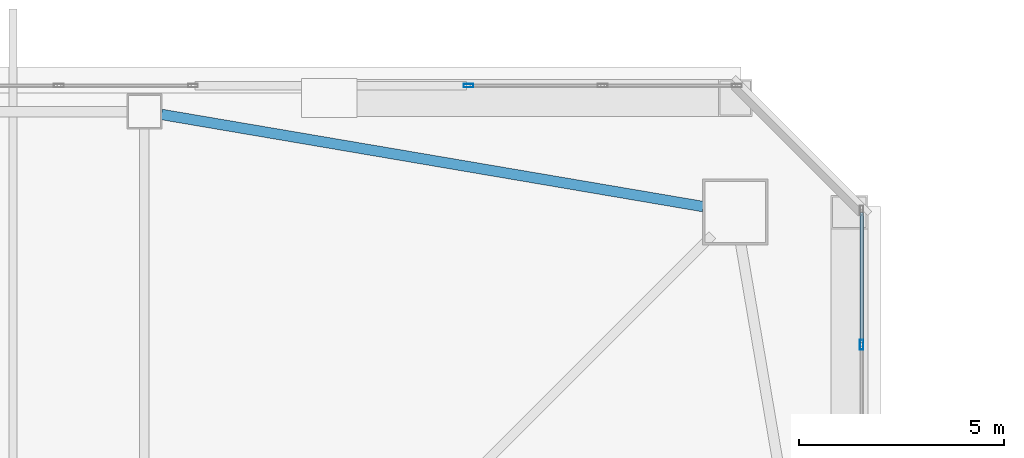
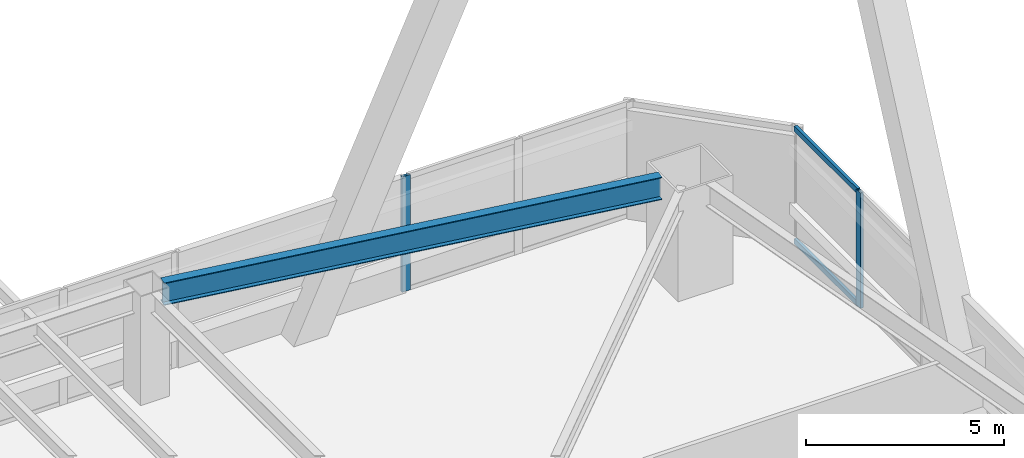
# One storey, part 28 of 75: 4 members, 1 beam, 2 elements without a shape of their own.
"""IFC4 building model written with IfcOpenShell, lengths in metres."""

from ifc_helpers import new_model, si_unit, direction, frame, origin, origin_2d, place, context, subcontext, project, spatial, hollow_rectangle, i_section, extrude, material, material_profile, profile_set, type_object, element, aggregate, save


model = new_model("IFC4")

# Units and contexts
model_context = context("Model", 3, precision=1e-05, world=origin(), true_north=direction((0.0, 1.0)))
body_context = subcontext(model_context, "Body", "Model", "MODEL_VIEW")
ifc_project = project(units=[si_unit("LENGTHUNIT", "METRE"), si_unit("AREAUNIT", "SQUARE_METRE"), si_unit("VOLUMEUNIT", "CUBIC_METRE"), si_unit("PLANEANGLEUNIT", "RADIAN"), si_unit("MASSUNIT", "GRAM", prefix="KILO")], contexts=[model_context])

# Site, building, storey
site_placement = place(None, origin())
site = spatial("IfcSite", under=ifc_project, at=site_placement, CompositionType="ELEMENT")
building_placement = place(site_placement, origin())
building = spatial("IfcBuilding", under=site, at=building_placement, Name="Tashvorn Skyway Center", CompositionType="ELEMENT")
storey_placement = place(building_placement, frame((0.0, 0.0, 45.89990234375)))
storey = spatial("IfcBuildingStorey", under=building, at=storey_placement, Name="L11", CompositionType="ELEMENT", Elevation=45.89990234375)

# Beam
ifc_material_1 = material(Name="Steel ASTM A992 Grade 50", Category="steel")
ifc_material_profile_1 = material_profile(ifc_material_1, i_section(OverallWidth=0.256103515625, OverallDepth=0.693115234375, WebThickness=0.014404296875, FlangeThickness=0.023681640625, at=origin_2d()), Name="W27X114")
ifc_profile_set_1 = profile_set([ifc_material_profile_1], Name="Steel ASTM A992 Grade 50")
beam_type = type_object("IfcBeamType", Name="BM-SPANDREL-W27X114", PredefinedType="SPANDREL", material=ifc_profile_set_1)
beam_placement = place(storey_placement, frame((61.016357421875, 51.933349609375, 3.003662109375), z_axis=(-0.985835025551, 0.16771792509, 0.0), x_axis=(-0.16771792509, -0.985835025551, 0.0)))
element("IfcBeam", 1, at=beam_placement, inside=storey, type_object=beam_type, Name="Tower 1 L11 Spandrel Beam 07", PredefinedType="SPANDREL", context=body_context, shape_type="SweptSolid", body=[
    extrude(i_section(OverallWidth=0.256103515625, OverallDepth=0.693115234375, WebThickness=0.014404296875, FlangeThickness=0.023681640625, at=origin_2d()), origin(), (0.0, 0.0, 1.0), 13.39208984375),
])

# Curtain wall, member
ifc_material_2 = material(Name="Thermally broken bronze-anodized aluminium 6063-T6", Category="aluminium")
curtain_wall_type = type_object("IfcCurtainWallType", Name="CW-CW-Z1", PredefinedType="NOTDEFINED", material=ifc_material_2)
curtain_wall_1_placement = place(storey_placement, origin())
curtain_wall_1 = element("IfcCurtainWall", 2, at=curtain_wall_1_placement, inside=storey, type_object=curtain_wall_type, Name="Tower 1 L11 North Unitised Curtain Wall Glazing Group 3", PredefinedType="NOTDEFINED")
ifc_material_profile_2 = material_profile(ifc_material_2, hollow_rectangle(XDim=0.0849609375, YDim=0.239990234375, WallThickness=0.0048828125, at=origin_2d()), Name="ALU-MULL-85x240")
ifc_profile_set_2 = profile_set([ifc_material_profile_2], Name="Thermally broken bronze-anodized aluminium 6063-T6")
member_type_1 = type_object("IfcMemberType", Name="CWM-CW-Z1", PredefinedType="MULLION", material=ifc_profile_set_2)
member_1_placement = place(storey_placement, frame((55.2958984375, 54.8798828125, 0.0), z_axis=(0.0, 0.0, 1.0), x_axis=(0.0, 1.0, 0.0)))
member_1 = element("IfcMember", 3, at=member_1_placement, type_object=member_type_1, Name="CW-Z1 mullion 1", PredefinedType="MULLION", context=body_context, shape_type="SweptSolid", body=[
    extrude(hollow_rectangle(XDim=0.0849609375, YDim=0.239990234375, WallThickness=0.0048828125, at=origin_2d()), origin(), (0.0, 0.0, 1.0), 3.550048828125),
])
aggregate(curtain_wall_1, [member_1])

# Curtain wall, members
curtain_wall_2_placement = place(storey_placement, origin())
curtain_wall_2 = element("IfcCurtainWall", 4, at=curtain_wall_2_placement, inside=storey, type_object=curtain_wall_type, Name="Tower 1 L11 East Unitised Curtain Wall Glazing Group 1", PredefinedType="NOTDEFINED")
member_2_placement = place(storey_placement, frame((64.8798828125, 48.566650390625, 0.0), z_axis=(0.0, 0.0, 1.0), x_axis=(1.0, 0.0, 0.0)))
member_2 = element("IfcMember", 5, at=member_2_placement, type_object=member_type_1, Name="CW-Z1 mullion 2", PredefinedType="MULLION", context=body_context, shape_type="SweptSolid", body=[
    extrude(hollow_rectangle(XDim=0.0849609375, YDim=0.239990234375, WallThickness=0.0048828125, at=origin_2d()), origin(), (0.0, 0.0, 1.0), 3.550048828125),
])
ifc_material_profile_3 = material_profile(ifc_material_2, hollow_rectangle(XDim=0.0849609375, YDim=0.1650390625, WallThickness=0.0048828125, at=origin_2d()), Name="ALU-TRAN-85x165")
ifc_profile_set_3 = profile_set([ifc_material_profile_3], Name="Thermally broken bronze-anodized aluminium 6063-T6")
member_type_2 = type_object("IfcMemberType", Name="CWT-CW-Z1", PredefinedType="USERDEFINED", material=ifc_profile_set_3)
member_3_placement = place(storey_placement, frame((64.8798828125, 51.794921875, 0.04248046875), z_axis=(0.0, -1.0, 0.0), x_axis=(1.0, 0.0, 0.0)))
member_3 = element("IfcMember", 6, at=member_3_placement, type_object=member_type_2, Name="CW-Z1 transom 1.1", ObjectType="TRANSOM", PredefinedType="USERDEFINED", context=body_context, shape_type="SweptSolid", body=[
    extrude(hollow_rectangle(XDim=0.0849609375, YDim=0.1650390625, WallThickness=0.0048828125, at=origin_2d()), origin(), (0.0, 0.0, 1.0), 3.185791015625),
])
member_4_placement = place(storey_placement, frame((64.8798828125, 51.794921875, 3.507568359375), z_axis=(0.0, -1.0, 0.0), x_axis=(1.0, 0.0, 0.0)))
member_4 = element("IfcMember", 7, at=member_4_placement, type_object=member_type_2, Name="CW-Z1 transom 1.2", ObjectType="TRANSOM", PredefinedType="USERDEFINED", context=body_context, shape_type="SweptSolid", body=[
    extrude(hollow_rectangle(XDim=0.0849609375, YDim=0.1650390625, WallThickness=0.0048828125, at=origin_2d()), origin(), (0.0, 0.0, 1.0), 3.185791015625),
])
aggregate(curtain_wall_2, [member_2, member_3, member_4])

save(model, "model.ifc")
